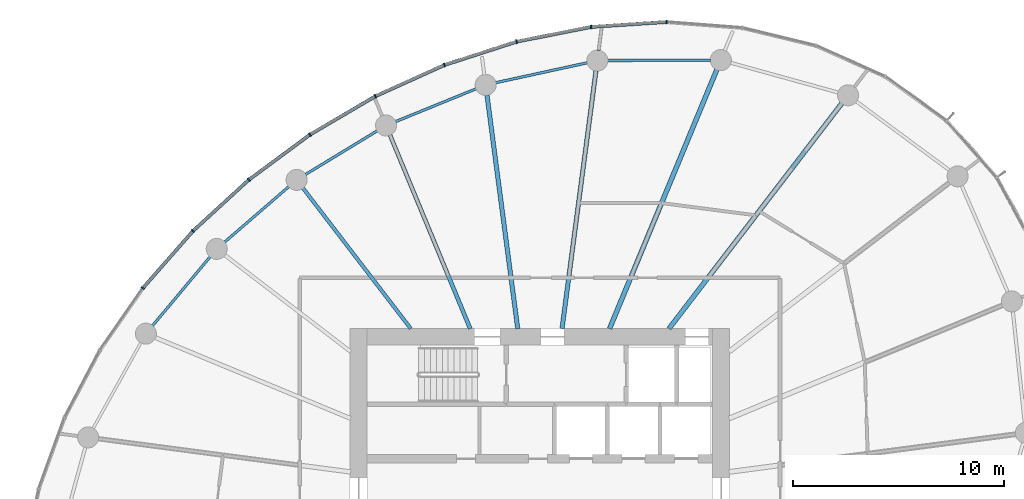
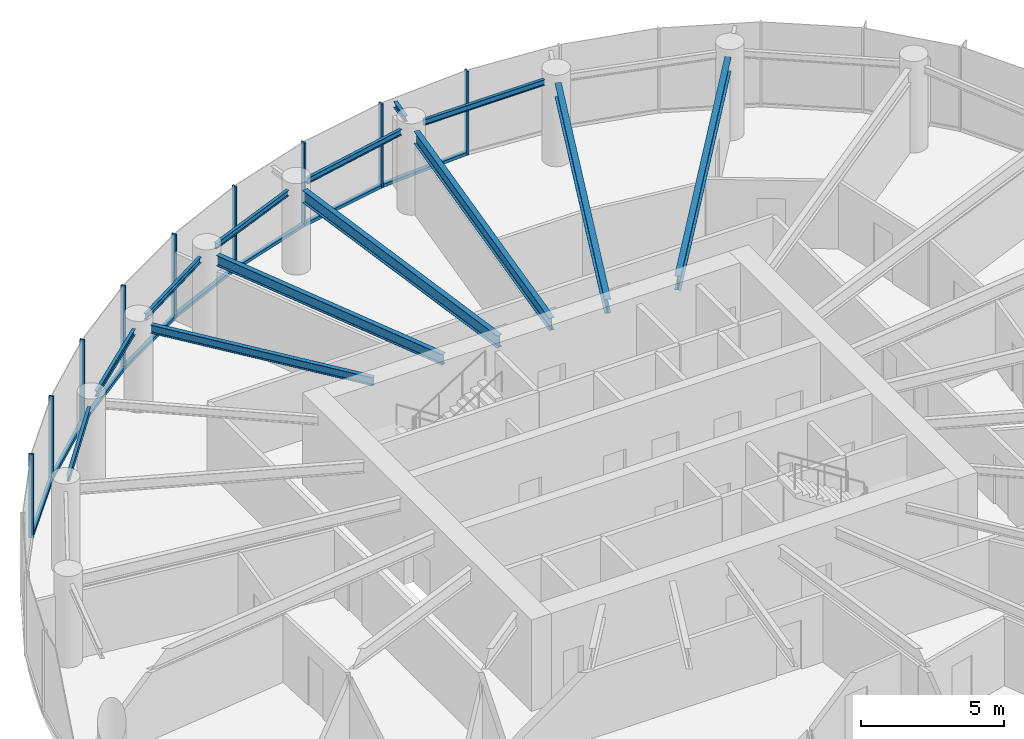
# One storey, part 5 of 14: 17 members, 13 beams, 3 elements without a shape of their own.
"""IFC4 building model written with IfcOpenShell, lengths in metres."""

from ifc_helpers import new_model, si_unit, direction, frame, origin, origin_2d, place, context, subcontext, project, spatial, rectangle, i_section, extrude, source, transform, mapped, material, layer, layer_set, material_profile, profile_set, type_object, element, aggregate, save


model = new_model("IFC4")

# Units and contexts
model_context = context("Model", 3, precision=1e-05, world=origin(), true_north=direction((0.0, 1.0)))
body_context = subcontext(model_context, "Body", "Model", "MODEL_VIEW")
ifc_project = project(units=[si_unit("LENGTHUNIT", "METRE"), si_unit("AREAUNIT", "SQUARE_METRE"), si_unit("VOLUMEUNIT", "CUBIC_METRE"), si_unit("PLANEANGLEUNIT", "RADIAN"), si_unit("MASSUNIT", "GRAM", prefix="KILO")], contexts=[model_context])

# Site, building, storey
site_placement = place(None, origin())
site = spatial("IfcSite", under=ifc_project, at=site_placement, CompositionType="ELEMENT")
building_placement = place(site_placement, origin())
building = spatial("IfcBuilding", under=site, at=building_placement, Name="Spindrift Exchange Tower", CompositionType="ELEMENT")
storey_placement = place(building_placement, frame((0.0, 0.0, 164.300048828125)))
storey = spatial("IfcBuildingStorey", under=building, at=storey_placement, Name="L39", CompositionType="ELEMENT", Elevation=164.300048828125)

# Beams
ifc_material_1 = material(Name="Steel Grade 300", Category="steel")
ifc_material_profile_1 = material_profile(ifc_material_1, i_section(OverallWidth=0.1240234375, OverallDepth=0.248046875, WebThickness=0.0048828125, FlangeThickness=0.008056640625, FilletRadius=0.011962890625, at=origin_2d()), Name="250UB25.7")
ifc_profile_set_1 = profile_set([ifc_material_profile_1], Name="Steel Grade 300")
beam_type_1 = type_object("IfcBeamType", Name="Edge Beam 250UB25.7 Steel Grade 300", PredefinedType="SPANDREL", material=ifc_profile_set_1)
shared_shape_1 = source(origin(), body_context, "Body", "SweptSolid", [
    extrude(i_section(OverallWidth=0.1240234375, OverallDepth=0.248046875, WebThickness=0.0048828125, FlangeThickness=0.008056640625, FilletRadius=0.011962890625, at=origin_2d()), origin(), (0.0, 0.0, 1.0), 4.901123046875),
])
beam_1_placement = place(storey_placement, frame((60.10693359375, 68.728759765625, 3.4560546875), z_axis=(-0.999990609444, -0.004333707747, 0.0), x_axis=(0.004333707747, -0.999990609444, 0.0)))
element("IfcBeam", 1, at=beam_1_placement, inside=storey, type_object=beam_type_1, Name="L39 edge beam E05", PredefinedType="SPANDREL", context=body_context, shape_type="MappedRepresentation", body=[
    mapped(shared_shape_1, transform((0.0, 0.0, 0.0), scale=1.0)),
])
shared_shape_2 = source(origin(), body_context, "Body", "SweptSolid", [
    extrude(i_section(OverallWidth=0.1240234375, OverallDepth=0.248046875, WebThickness=0.0048828125, FlangeThickness=0.008056640625, FilletRadius=0.011962890625, at=origin_2d()), origin(), (0.0, 0.0, 1.0), 4.464111328125),
])
beam_2_placement = place(storey_placement, frame((54.2568359375, 68.603271484375, 3.4560546875), z_axis=(-0.977095837978, -0.212799726048, 0.0), x_axis=(0.212799726048, -0.977095837978, 0.0)))
element("IfcBeam", 2, at=beam_2_placement, inside=storey, type_object=beam_type_1, Name="L39 edge beam E06", PredefinedType="SPANDREL", context=body_context, shape_type="MappedRepresentation", body=[
    mapped(shared_shape_2, transform((0.0, 0.0, 0.0), scale=1.0)),
])
shared_shape_3 = source(origin(), body_context, "Body", "SweptSolid", [
    extrude(i_section(OverallWidth=0.1240234375, OverallDepth=0.248046875, WebThickness=0.0048828125, FlangeThickness=0.008056640625, FilletRadius=0.011962890625, at=origin_2d()), origin(), (0.0, 0.0, 1.0), 4.143798828125),
])
beam_3_placement = place(storey_placement, frame((48.9814453125, 67.3701171875, 3.4560546875), z_axis=(-0.926113706975, -0.377244485385, 0.0), x_axis=(0.377244485385, -0.926113706975, 0.0)))
element("IfcBeam", 3, at=beam_3_placement, inside=storey, type_object=beam_type_1, Name="L39 edge beam E07", PredefinedType="SPANDREL", context=body_context, shape_type="MappedRepresentation", body=[
    mapped(shared_shape_3, transform((0.0, 0.0, 0.0), scale=1.0)),
])
shared_shape_4 = source(origin(), body_context, "Body", "SweptSolid", [
    extrude(i_section(OverallWidth=0.1240234375, OverallDepth=0.248046875, WebThickness=0.0048828125, FlangeThickness=0.008056640625, FilletRadius=0.011962890625, at=origin_2d()), origin(), (0.0, 0.0, 1.0), 4.00634765625),
])
beam_4_placement = place(storey_placement, frame((44.2890625, 65.376220703125, 3.4560546875), z_axis=(-0.854331495603, -0.519728482596, 0.0), x_axis=(0.519728482596, -0.854331495603, 0.0)))
element("IfcBeam", 4, at=beam_4_placement, inside=storey, type_object=beam_type_1, Name="L39 edge beam E08", PredefinedType="SPANDREL", context=body_context, shape_type="MappedRepresentation", body=[
    mapped(shared_shape_4, transform((0.0, 0.0, 0.0), scale=1.0)),
])
shared_shape_5 = source(origin(), body_context, "Body", "SweptSolid", [
    extrude(i_section(OverallWidth=0.1240234375, OverallDepth=0.248046875, WebThickness=0.0048828125, FlangeThickness=0.008056640625, FilletRadius=0.011962890625, at=origin_2d()), origin(), (0.0, 0.0, 1.0), 4.052001953125),
])
beam_5_placement = place(storey_placement, frame((40.093017578125, 62.730712890625, 3.4560546875), z_axis=(-0.756715968535, -0.65374379, 0.0), x_axis=(0.65374379, -0.756715968535, 0.0)))
element("IfcBeam", 5, at=beam_5_placement, inside=storey, type_object=beam_type_1, Name="L39 edge beam E09", PredefinedType="SPANDREL", context=body_context, shape_type="MappedRepresentation", body=[
    mapped(shared_shape_5, transform((0.0, 0.0, 0.0), scale=1.0)),
])
shared_shape_6 = source(origin(), body_context, "Body", "SweptSolid", [
    extrude(i_section(OverallWidth=0.1240234375, OverallDepth=0.248046875, WebThickness=0.0048828125, FlangeThickness=0.008056640625, FilletRadius=0.011962890625, at=origin_2d()), origin(), (0.0, 0.0, 1.0), 4.282958984375),
])
beam_6_placement = place(storey_placement, frame((36.355712890625, 59.399658203125, 3.4560546875), z_axis=(-0.641400288548, -0.767206406289, 0.0), x_axis=(0.767206406289, -0.641400288548, 0.0)))
element("IfcBeam", 6, at=beam_6_placement, inside=storey, type_object=beam_type_1, Name="L39 edge beam E10", PredefinedType="SPANDREL", context=body_context, shape_type="MappedRepresentation", body=[
    mapped(shared_shape_6, transform((0.0, 0.0, 0.0), scale=1.0)),
])
ifc_material_profile_2 = material_profile(ifc_material_1, i_section(OverallWidth=0.22802734375, OverallDepth=0.60205078125, WebThickness=0.010498046875, FlangeThickness=0.014892578125, FilletRadius=0.013916015625, at=origin_2d()), Name="610UB101")
ifc_profile_set_2 = profile_set([ifc_material_profile_2], Name="Steel Grade 300")
beam_type_2 = type_object("IfcBeamType", Name="Floor Beam 610UB101 Steel Grade 300", PredefinedType="BEAM", material=ifc_profile_set_2)
shared_shape_7 = source(origin(), body_context, "Body", "SweptSolid", [
    extrude(i_section(OverallWidth=0.22802734375, OverallDepth=0.60205078125, WebThickness=0.010498046875, FlangeThickness=0.014892578125, FilletRadius=0.013916015625, at=origin_2d()), origin(), (0.0, 0.0, 1.0), 13.480224609375),
])
beam_7_placement = place(storey_placement, frame((58.12646484375, 55.984130859375, 3.279052734375), z_axis=(0.608764179541, 0.793351229726, 0.0), x_axis=(-0.793351229726, 0.608764179541, 0.0)))
element("IfcBeam", 7, at=beam_7_placement, inside=storey, type_object=beam_type_2, Name="L39 radial beam R04A", PredefinedType="BEAM", context=body_context, shape_type="MappedRepresentation", body=[
    mapped(shared_shape_7, transform((0.0, 0.0, 0.0), scale=1.0)),
])
shared_shape_8 = source(origin(), body_context, "Body", "SweptSolid", [
    extrude(i_section(OverallWidth=0.22802734375, OverallDepth=0.60205078125, WebThickness=0.010498046875, FlangeThickness=0.014892578125, FilletRadius=0.013916015625, at=origin_2d()), origin(), (0.0, 0.0, 1.0), 13.31982421875),
])
beam_8_placement = place(storey_placement, frame((55.30615234375, 55.9814453125, 3.279052734375), z_axis=(0.382676632888, 0.923882348918, 0.0), x_axis=(-0.923882348918, 0.382676632888, 0.0)))
element("IfcBeam", 8, at=beam_8_placement, inside=storey, type_object=beam_type_2, Name="L39 radial beam R05A", PredefinedType="BEAM", context=body_context, shape_type="MappedRepresentation", body=[
    mapped(shared_shape_8, transform((0.0, 0.0, 0.0), scale=1.0)),
])
ifc_material_profile_3 = material_profile(ifc_material_1, i_section(OverallWidth=0.208984375, OverallDepth=0.528076171875, WebThickness=0.009521484375, FlangeThickness=0.01318359375, FilletRadius=0.013916015625, at=origin_2d()), Name="530UB82.0")
ifc_profile_set_3 = profile_set([ifc_material_profile_3], Name="Steel Grade 300")
beam_type_3 = type_object("IfcBeamType", Name="Floor Beam 530UB82.0 Steel Grade 300", PredefinedType="BEAM", material=ifc_profile_set_3)
shared_shape_9 = source(origin(), body_context, "Body", "SweptSolid", [
    extrude(i_section(OverallWidth=0.208984375, OverallDepth=0.528076171875, WebThickness=0.009521484375, FlangeThickness=0.01318359375, FilletRadius=0.013916015625, at=origin_2d()), origin(), (0.0, 0.0, 1.0), 12.35498046875),
])
beam_9_placement = place(storey_placement, frame((53.050537109375, 55.980224609375, 3.31591796875), z_axis=(0.130537831721, 0.991443328935, 0.0), x_axis=(-0.991443328935, 0.130537831721, 0.0)))
element("IfcBeam", 9, at=beam_9_placement, inside=storey, type_object=beam_type_3, Name="L39 radial beam R06A", PredefinedType="BEAM", context=body_context, shape_type="MappedRepresentation", body=[
    mapped(shared_shape_9, transform((0.0, 0.0, 0.0), scale=1.0)),
])
shared_shape_10 = source(origin(), body_context, "Body", "SweptSolid", [
    extrude(i_section(OverallWidth=0.208984375, OverallDepth=0.528076171875, WebThickness=0.009521484375, FlangeThickness=0.01318359375, FilletRadius=0.013916015625, at=origin_2d()), origin(), (0.0, 0.0, 1.0), 11.19091796875),
])
beam_10_placement = place(storey_placement, frame((50.949462890625, 55.980224609375, 3.31591796875), z_axis=(-0.130524489434, 0.991445085548, 0.0), x_axis=(-0.991445085548, -0.130524489434, 0.0)))
element("IfcBeam", 10, at=beam_10_placement, inside=storey, type_object=beam_type_3, Name="L39 radial beam R07A", PredefinedType="BEAM", context=body_context, shape_type="MappedRepresentation", body=[
    mapped(shared_shape_10, transform((0.0, 0.0, 0.0), scale=1.0)),
])
ifc_material_profile_4 = material_profile(ifc_material_1, i_section(OverallWidth=0.18994140625, OverallDepth=0.4541015625, WebThickness=0.008544921875, FlangeThickness=0.0126953125, FilletRadius=0.013916015625, at=origin_2d()), Name="460UB67.1")
ifc_profile_set_4 = profile_set([ifc_material_profile_4], Name="Steel Grade 300")
beam_type_4 = type_object("IfcBeamType", Name="Floor Beam 460UB67.1 Steel Grade 300", PredefinedType="BEAM", material=ifc_profile_set_4)
shared_shape_11 = source(origin(), body_context, "Body", "SweptSolid", [
    extrude(i_section(OverallWidth=0.18994140625, OverallDepth=0.4541015625, WebThickness=0.008544921875, FlangeThickness=0.0126953125, FilletRadius=0.013916015625, at=origin_2d()), origin(), (0.0, 0.0, 1.0), 9.958984375),
])
beam_11_placement = place(storey_placement, frame((48.69384765625, 55.9814453125, 3.35302734375), z_axis=(-0.382673670509, 0.923883575944, 0.0), x_axis=(-0.923883575944, -0.382673670509, 0.0)))
element("IfcBeam", 11, at=beam_11_placement, inside=storey, type_object=beam_type_4, Name="L39 radial beam R08A", PredefinedType="BEAM", context=body_context, shape_type="MappedRepresentation", body=[
    mapped(shared_shape_11, transform((0.0, 0.0, 0.0), scale=1.0)),
])
ifc_material_profile_5 = material_profile(ifc_material_1, i_section(OverallWidth=0.1708984375, OverallDepth=0.35205078125, WebThickness=0.0068359375, FlangeThickness=0.009765625, FilletRadius=0.013916015625, at=origin_2d()), Name="360UB44.7")
ifc_profile_set_5 = profile_set([ifc_material_profile_5], Name="Steel Grade 300")
beam_type_5 = type_object("IfcBeamType", Name="Floor Beam 360UB44.7 Steel Grade 300", PredefinedType="BEAM", material=ifc_profile_set_5)
shared_shape_12 = source(origin(), body_context, "Body", "SweptSolid", [
    extrude(i_section(OverallWidth=0.1708984375, OverallDepth=0.35205078125, WebThickness=0.0068359375, FlangeThickness=0.009765625, FilletRadius=0.013916015625, at=origin_2d()), origin(), (0.0, 0.0, 1.0), 8.419189453125),
])
beam_12_placement = place(storey_placement, frame((45.87353515625, 55.984130859375, 3.404052734375), z_axis=(-0.608755970582, 0.79335752866, 0.0), x_axis=(-0.79335752866, -0.608755970582, 0.0)))
element("IfcBeam", 12, at=beam_12_placement, inside=storey, type_object=beam_type_5, Name="L39 radial beam R09A", PredefinedType="BEAM", context=body_context, shape_type="MappedRepresentation", body=[
    mapped(shared_shape_12, transform((0.0, 0.0, 0.0), scale=1.0)),
])
ifc_material_profile_6 = material_profile(ifc_material_1, i_section(OverallWidth=0.14599609375, OverallDepth=0.251953125, WebThickness=0.006103515625, FlangeThickness=0.008544921875, FilletRadius=0.011962890625, at=origin_2d()), Name="250UB31.4")
ifc_profile_set_6 = profile_set([ifc_material_profile_6], Name="Steel Grade 300")
beam_type_6 = type_object("IfcBeamType", Name="Cantilever Beam 250UB31.4 Steel Grade 300", PredefinedType="BEAM", material=ifc_profile_set_6)
shared_shape_13 = source(origin(), body_context, "Body", "SweptSolid", [
    extrude(i_section(OverallWidth=0.14599609375, OverallDepth=0.251953125, WebThickness=0.006103515625, FlangeThickness=0.008544921875, FilletRadius=0.011962890625, at=origin_2d()), origin(), (0.0, 0.0, 1.0), 0.971923828125),
])
beam_13_placement = place(storey_placement, frame((54.78857421875, 69.18115234375, 3.453857421875), z_axis=(0.13037003955, 0.991465406753, 0.0), x_axis=(-0.991465406753, 0.13037003955, 0.0)))
element("IfcBeam", 13, at=beam_13_placement, inside=storey, type_object=beam_type_6, Name="L39 cantilever beam R06T", PredefinedType="BEAM", context=body_context, shape_type="MappedRepresentation", body=[
    mapped(shared_shape_13, transform((0.0, 0.0, 0.0), scale=1.0)),
])

# Curtain wall, member
ifc_material_2 = material(Name="Fritted laminated glass with bronze frame", Category="glass")
ifc_layer = layer(ifc_material_2, 0.179931640625)
ifc_layer_set = layer_set([ifc_layer], Name="ZONE 3 BRONZE FRITTED WALL")
curtain_wall_type = type_object("IfcCurtainWallType", Name="ZONE 3 BRONZE FRITTED WALL", PredefinedType="NOTDEFINED", material=ifc_layer_set)
curtain_wall_1_placement = place(storey_placement, origin())
curtain_wall_1 = element("IfcCurtainWall", 14, at=curtain_wall_1_placement, inside=storey, type_object=curtain_wall_type, Name="L39 Zone 3 Bronze Fritted Wall run 1", PredefinedType="NOTDEFINED")
ifc_material_3 = material(Name="Bronze anodised aluminium", Category="aluminium")
ifc_material_profile_7 = material_profile(ifc_material_3, rectangle(XDim=0.070068359375, YDim=0.179931640625, at=origin_2d()), Name="ZONE 3 BRONZE FRITTED WALL MULLION 70X180")
ifc_profile_set_7 = profile_set([ifc_material_profile_7], Name="Bronze anodised aluminium")
member_type_1 = type_object("IfcMemberType", Name="ZONE 3 BRONZE FRITTED WALL MULLION 70X180", PredefinedType="MULLION", material=ifc_profile_set_7)
shared_shape_14 = source(origin(), body_context, "Body", "SweptSolid", [
    extrude(rectangle(XDim=0.070068359375, YDim=0.179931640625, at=origin_2d()), origin(), (0.0, 0.0, 1.0), 3.579833984375),
])
member_1_placement = place(storey_placement, frame((58.020263671875, 70.5419921875, 0.0), z_axis=(0.0, 0.0, 1.0), x_axis=(-0.999986185947, 0.005256226371, 0.0)))
member_1 = element("IfcMember", 15, at=member_1_placement, type_object=member_type_1, Name="L39 mullion CW-3.6", PredefinedType="MULLION", context=body_context, shape_type="MappedRepresentation", body=[
    mapped(shared_shape_14, transform((0.0, 0.0, 0.0), scale=1.0)),
])

# Curtain wall, members
curtain_wall_2_placement = place(storey_placement, origin())
curtain_wall_2 = element("IfcCurtainWall", 16, at=curtain_wall_2_placement, inside=storey, type_object=curtain_wall_type, Name="L39 Zone 3 Bronze Fritted Wall run 2", PredefinedType="NOTDEFINED")
member_2_placement = place(storey_placement, frame((54.42822265625, 70.3037109375, 0.0), z_axis=(0.0, 0.0, 1.0), x_axis=(-0.991492035863, -0.130167364654, 0.0)))
member_2 = element("IfcMember", 17, at=member_2_placement, type_object=member_type_1, Name="L39 mullion CW-3.7", PredefinedType="MULLION", context=body_context, shape_type="MappedRepresentation", body=[
    mapped(shared_shape_14, transform((0.0, 0.0, 0.0), scale=1.0)),
])
member_3_placement = place(storey_placement, frame((50.896240234375, 69.606689453125, 0.0), z_axis=(0.0, 0.0, 1.0), x_axis=(-0.967902740995, -0.251325056399, 0.0)))
member_3 = element("IfcMember", 18, at=member_3_placement, type_object=member_type_1, Name="L39 mullion CW-3.8", PredefinedType="MULLION", context=body_context, shape_type="MappedRepresentation", body=[
    mapped(shared_shape_14, transform((0.0, 0.0, 0.0), scale=1.0)),
])
member_4_placement = place(storey_placement, frame((47.470703125, 68.497314453125, 0.0), z_axis=(0.0, 0.0, 1.0), x_axis=(-0.932759741229, -0.360498634036, 0.0)))
member_4 = element("IfcMember", 19, at=member_4_placement, type_object=member_type_1, Name="L39 mullion CW-3.9", PredefinedType="MULLION", context=body_context, shape_type="MappedRepresentation", body=[
    mapped(shared_shape_14, transform((0.0, 0.0, 0.0), scale=1.0)),
])
member_5_placement = place(storey_placement, frame((44.189453125, 67.014404296875, 0.0), z_axis=(0.0, 0.0, 1.0), x_axis=(-0.888016483954, -0.459811618194, 0.0)))
member_5 = element("IfcMember", 20, at=member_5_placement, type_object=member_type_1, Name="L39 mullion CW-3.10", PredefinedType="MULLION", context=body_context, shape_type="MappedRepresentation", body=[
    mapped(shared_shape_14, transform((0.0, 0.0, 0.0), scale=1.0)),
])
member_6_placement = place(storey_placement, frame((41.084716796875, 65.1904296875, 0.0), z_axis=(0.0, 0.0, 1.0), x_axis=(-0.834442991295, -0.551094269866, 0.0)))
member_6 = element("IfcMember", 21, at=member_6_placement, type_object=member_type_1, Name="L39 mullion CW-3.11", PredefinedType="MULLION", context=body_context, shape_type="MappedRepresentation", body=[
    mapped(shared_shape_14, transform((0.0, 0.0, 0.0), scale=1.0)),
])
member_7_placement = place(storey_placement, frame((38.188232421875, 63.051025390625, 0.0), z_axis=(0.0, 0.0, 1.0), x_axis=(-0.77189313577, -0.635752299996, 0.0)))
member_7 = element("IfcMember", 22, at=member_7_placement, type_object=member_type_1, Name="L39 mullion CW-3.12", PredefinedType="MULLION", context=body_context, shape_type="MappedRepresentation", body=[
    mapped(shared_shape_14, transform((0.0, 0.0, 0.0), scale=1.0)),
])

curtain_wall_3_placement = place(storey_placement, origin())
curtain_wall_3 = element("IfcCurtainWall", 23, at=curtain_wall_3_placement, inside=storey, type_object=curtain_wall_type, Name="L39 Zone 3 Bronze Fritted Wall run 3", PredefinedType="NOTDEFINED")
member_8_placement = place(storey_placement, frame((35.533447265625, 60.618408203125, 0.0), z_axis=(0.0, 0.0, 1.0), x_axis=(-0.699492734564, -0.714639709429, 0.0)))
member_8 = element("IfcMember", 24, at=member_8_placement, type_object=member_type_1, Name="L39 mullion CW-3.13", PredefinedType="MULLION", context=body_context, shape_type="MappedRepresentation", body=[
    mapped(shared_shape_14, transform((0.0, 0.0, 0.0), scale=1.0)),
])
member_9_placement = place(storey_placement, frame((33.158203125, 57.912109375, 0.0), z_axis=(0.0, 0.0, 1.0), x_axis=(-0.615634800247, -0.788031593735, 0.0)))
member_9 = element("IfcMember", 25, at=member_9_placement, type_object=member_type_1, Name="L39 mullion CW-3.14", PredefinedType="MULLION", context=body_context, shape_type="MappedRepresentation", body=[
    mapped(shared_shape_14, transform((0.0, 0.0, 0.0), scale=1.0)),
])

# Member
ifc_material_profile_8 = material_profile(ifc_material_3, rectangle(XDim=0.159912109375, YDim=0.1298828125, at=origin_2d()), Name="ZONE 3 BRONZE FRITTED WALL TRANSOM 160X130")
ifc_profile_set_8 = profile_set([ifc_material_profile_8], Name="Bronze anodised aluminium")
member_type_2 = type_object("IfcMemberType", Name="ZONE 3 BRONZE FRITTED WALL TRANSOM 160X130", PredefinedType="USERDEFINED", material=ifc_profile_set_8)
shared_shape_15 = source(origin(), body_context, "Body", "SweptSolid", [
    extrude(rectangle(XDim=0.159912109375, YDim=0.1298828125, at=origin_2d()), origin(), (0.0, 0.0, 1.0), 3.53076171875),
])
member_10_placement = place(storey_placement, frame((44.1591796875, 66.996826171875, 0.06494140625), z_axis=(-0.862197178676, -0.50657282308, 0.0), x_axis=(0.50657282308, -0.862197178676, 0.0)))
member_10 = element("IfcMember", 26, at=member_10_placement, type_object=member_type_2, Name="L39 transom CW-3.10", ObjectType="TRANSOM", PredefinedType="USERDEFINED", context=body_context, shape_type="MappedRepresentation", body=[
    mapped(shared_shape_15, transform((0.0, 0.0, 0.0), scale=1.0)),
])

member_11_placement = place(storey_placement, frame((38.162353515625, 63.02734375, 0.06494140625), z_axis=(-0.737240241208, -0.67563068813, 0.0), x_axis=(0.67563068813, -0.737240241208, 0.0)))
member_11 = element("IfcMember", 27, at=member_11_placement, type_object=member_type_2, Name="L39 transom CW-3.12", ObjectType="TRANSOM", PredefinedType="USERDEFINED", context=body_context, shape_type="MappedRepresentation", body=[
    mapped(shared_shape_15, transform((0.0, 0.0, 0.0), scale=1.0)),
])

shared_shape_16 = source(origin(), body_context, "Body", "SweptSolid", [
    extrude(rectangle(XDim=0.159912109375, YDim=0.1298828125, at=origin_2d()), origin(), (0.0, 0.0, 1.0), 3.531005859375),
])
member_12_placement = place(storey_placement, frame((47.43896484375, 68.48291015625, 0.06494140625), z_axis=(-0.911273526454, -0.411801602698, 0.0), x_axis=(0.411801602698, -0.911273526454, 0.0)))
member_12 = element("IfcMember", 28, at=member_12_placement, type_object=member_type_2, Name="L39 transom CW-3.9", ObjectType="TRANSOM", PredefinedType="USERDEFINED", context=body_context, shape_type="MappedRepresentation", body=[
    mapped(shared_shape_16, transform((0.0, 0.0, 0.0), scale=1.0)),
])

member_13_placement = place(storey_placement, frame((41.056640625, 65.169677734375, 0.06494140625), z_axis=(-0.804375824717, -0.594120806412, 0.0), x_axis=(0.594120806412, -0.804375824717, 0.0)))
member_13 = element("IfcMember", 29, at=member_13_placement, type_object=member_type_2, Name="L39 transom CW-3.11", ObjectType="TRANSOM", PredefinedType="USERDEFINED", context=body_context, shape_type="MappedRepresentation", body=[
    mapped(shared_shape_16, transform((0.0, 0.0, 0.0), scale=1.0)),
])

shared_shape_17 = source(origin(), body_context, "Body", "SweptSolid", [
    extrude(rectangle(XDim=0.159912109375, YDim=0.1298828125, at=origin_2d()), origin(), (0.0, 0.0, 1.0), 3.5302734375),
])
member_14_placement = place(storey_placement, frame((50.86279296875, 69.595703125, 0.06494140625), z_axis=(-0.951359298, -0.308083570007, 0.0), x_axis=(0.308083570007, -0.951359298, 0.0)))
member_14 = element("IfcMember", 30, at=member_14_placement, type_object=member_type_2, Name="L39 transom CW-3.8", ObjectType="TRANSOM", PredefinedType="USERDEFINED", context=body_context, shape_type="MappedRepresentation", body=[
    mapped(shared_shape_17, transform((0.0, 0.0, 0.0), scale=1.0)),
])

shared_shape_18 = source(origin(), body_context, "Body", "SweptSolid", [
    extrude(rectangle(XDim=0.159912109375, YDim=0.1298828125, at=origin_2d()), origin(), (0.0, 0.0, 1.0), 3.530517578125),
])
member_15_placement = place(storey_placement, frame((54.39404296875, 70.297119140625, 0.06494140625), z_axis=(-0.981061753842, -0.193695211991, 0.0), x_axis=(0.193695211991, -0.981061753842, 0.0)))
member_15 = element("IfcMember", 31, at=member_15_placement, type_object=member_type_2, Name="L39 transom CW-3.7", ObjectType="TRANSOM", PredefinedType="USERDEFINED", context=body_context, shape_type="MappedRepresentation", body=[
    mapped(shared_shape_18, transform((0.0, 0.0, 0.0), scale=1.0)),
])

aggregate(curtain_wall_2, [member_2, member_15, member_3, member_14, member_4, member_12, member_5, member_10, member_6, member_13, member_7, member_11])

member_16_placement = place(storey_placement, frame((35.51025390625, 60.592041015625, 0.06494140625), z_axis=(-0.659624969244, -0.751594904153, 0.0), x_axis=(0.751594904153, -0.659624969244, 0.0)))
member_16 = element("IfcMember", 32, at=member_16_placement, type_object=member_type_2, Name="L39 transom CW-3.13", ObjectType="TRANSOM", PredefinedType="USERDEFINED", context=body_context, shape_type="MappedRepresentation", body=[
    mapped(shared_shape_18, transform((0.0, 0.0, 0.0), scale=1.0)),
])

aggregate(curtain_wall_3, [member_8, member_16, member_9])

shared_shape_19 = source(origin(), body_context, "Body", "SweptSolid", [
    extrude(rectangle(XDim=0.159912109375, YDim=0.1298828125, at=origin_2d()), origin(), (0.0, 0.0, 1.0), 3.530029296875),
])
member_17_placement = place(storey_placement, frame((57.9853515625, 70.53955078125, 0.06494140625), z_axis=(-0.997811702549, -0.066119635935, 0.0), x_axis=(0.066119635935, -0.997811702549, 0.0)))
member_17 = element("IfcMember", 33, at=member_17_placement, type_object=member_type_2, Name="L39 transom CW-3.6", ObjectType="TRANSOM", PredefinedType="USERDEFINED", context=body_context, shape_type="MappedRepresentation", body=[
    mapped(shared_shape_19, transform((0.0, 0.0, 0.0), scale=1.0)),
])

aggregate(curtain_wall_1, [member_1, member_17])

save(model, "model.ifc")
